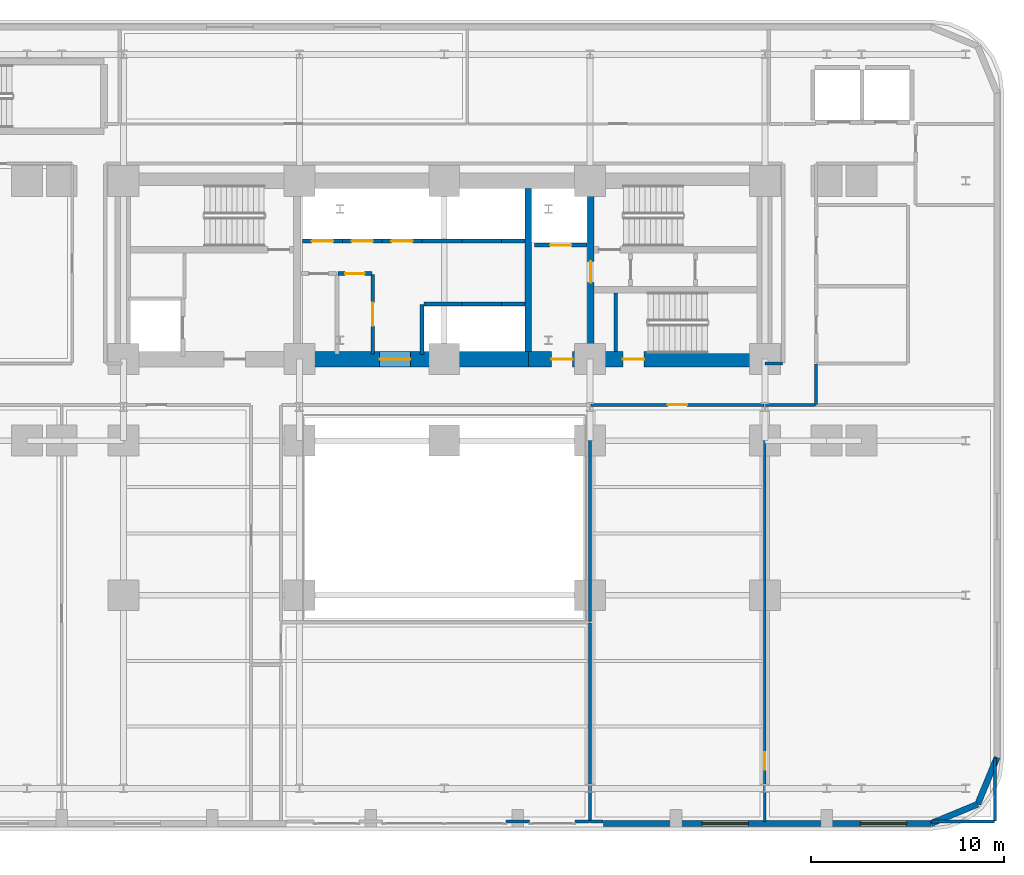
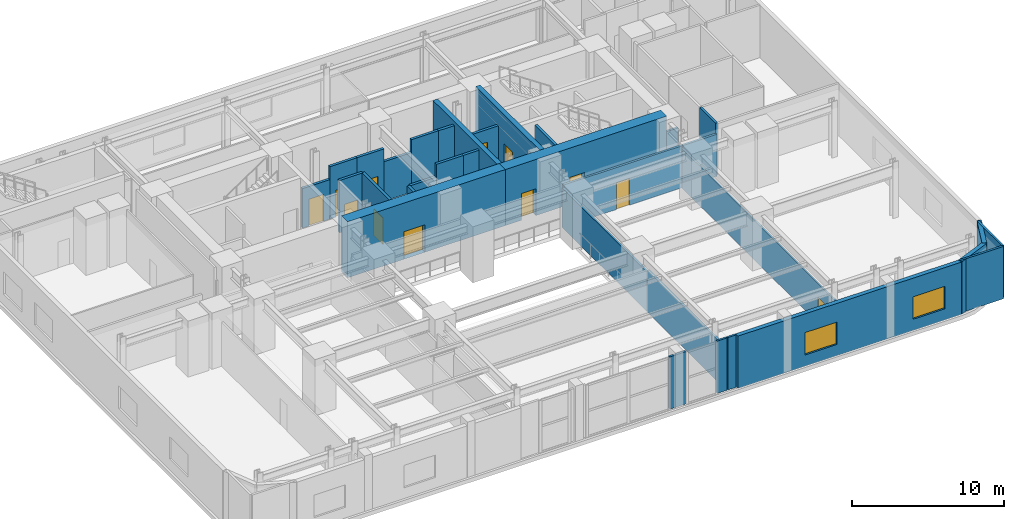
# One storey, part 7 of 14: 33 walls, 12 doors, 2 windows, 14 openings.
"""IFC4 building model written with IfcOpenShell, lengths in metres."""

from ifc_helpers import new_model, si_unit, direction, frame, frame_2d, origin, place, context, subcontext, project, spatial, rectangle, extrude, material, layer, layer_set, type_object, element, fill, save


model = new_model("IFC4")

# Units and contexts
model_context = context("Model", 3, precision=1e-05, world=origin(), true_north=direction((0.0, 1.0)))
body_context = subcontext(model_context, "Body", "Model", "MODEL_VIEW")
ifc_project = project(units=[si_unit("LENGTHUNIT", "METRE"), si_unit("AREAUNIT", "SQUARE_METRE"), si_unit("VOLUMEUNIT", "CUBIC_METRE"), si_unit("PLANEANGLEUNIT", "RADIAN"), si_unit("MASSUNIT", "GRAM", prefix="KILO")], contexts=[model_context])

# Site, building, storey
site_placement = place(None, origin())
site = spatial("IfcSite", under=ifc_project, at=site_placement, CompositionType="ELEMENT")
building_placement = place(site_placement, origin())
building = spatial("IfcBuilding", under=site, at=building_placement, Name="Zarnavel Station Tower", CompositionType="ELEMENT")
storey_placement = place(building_placement, frame((0.0, 0.0, 10.39990234375)))
storey = spatial("IfcBuildingStorey", under=building, at=storey_placement, Name="L03", CompositionType="ELEMENT", Elevation=10.39990234375)

# Wall
ifc_material_1 = material(Name="Concrete C50/60", Category="concrete")
ifc_layer_1 = layer(ifc_material_1, 0.35009765625)
ifc_layer_set_1 = layer_set([ifc_layer_1], Name="CW_350")
wall_type_1 = type_object("IfcWallType", Name="CW_350", PredefinedType="SHEAR", material=ifc_layer_set_1)
wall_1_placement = place(storey_placement, frame((33.14990234375, 28.219970703125, 0.0), z_axis=(0.0, 0.0, 1.0), x_axis=(0.0, 1.0, 0.0)))
element("IfcWall", 1, at=wall_1_placement, inside=storey, type_object=wall_type_1, Name="L03 Rear Core Shear Wall DIV-E", PredefinedType="SHEAR", context=body_context, shape_type="SweptSolid", body=[
    extrude(rectangle(XDim=8.429931640625, YDim=0.35009765625, at=frame_2d((4.21484375, 0.0))), origin(), (0.0, 0.0, 1.0), 4.5),
])

# Wall, opening, door
wall_2_placement = place(storey_placement, frame((36.3798828125, 28.219970703125, 0.0), z_axis=(0.0, 0.0, 1.0), x_axis=(0.0, 1.0, 0.0)))
wall_2 = element("IfcWall", 2, at=wall_2_placement, inside=storey, type_object=wall_type_1, Name="L03 Rear Core Shear Wall DIV-S2", PredefinedType="SHEAR", context=body_context, shape_type="SweptSolid", body=[
    extrude(rectangle(XDim=8.429931640625, YDim=0.35009765625, at=frame_2d((4.21484375, 0.0))), origin(), (0.0, 0.0, 1.0), 4.5),
])
opening_1_placement = place(wall_2_placement, frame((3.56005859375, 0.0, 0.0)))
opening_1 = element("IfcOpeningElement", 3, at=opening_1_placement, cuts=wall_2, Name="Opening FD01", PredefinedType="OPENING", context=body_context, shape_type="SweptSolid", body=[
    extrude(rectangle(XDim=1.10009765625, YDim=2.14990234375, at=frame_2d((0.550048828125, 1.074951171875))), frame((0.0, 0.18505859375, 0.0), z_axis=(0.0, -1.0, 0.0), x_axis=(1.0, 0.0, 0.0)), (0.0, 0.0, 1.0), 0.3701171875),
])
ifc_material_2 = material(Name="Painted Galvanised Steel and Hardwood Leaf", Category="steel")
door_type_1 = type_object("IfcDoorType", Name="ID_STAIR_1100", OperationType="NOTDEFINED", PredefinedType="DOOR", material=ifc_material_2)
door_1_placement = place(opening_1_placement, origin())
door_1 = element("IfcDoor", 4, at=door_1_placement, inside=storey, type_object=door_type_1, Name="L03 East Stair Vestibule Fire Door", OperationType="SINGLE_SWING_LEFT", OverallHeight=2.14990234375, OverallWidth=1.10009765625, PredefinedType="DOOR", context=body_context, shape_type="SweptSolid", body=[
    extrude(rectangle(XDim=1.10009765625, YDim=2.14990234375, at=frame_2d((0.550048828125, 1.074951171875))), frame((0.0, 0.02490234375, 0.0), z_axis=(0.0, -1.0, 0.0), x_axis=(1.0, 0.0, 0.0)), (0.0, 0.0, 1.0), 0.050048828125),
])
fill(opening_1, door_1)

ifc_material_3 = material(Name="Concrete C60/75", Category="concrete")
ifc_layer_2 = layer(ifc_material_3, 0.800048828125)
ifc_layer_set_2 = layer_set([ifc_layer_2], Name="CW_800")
wall_type_2 = type_object("IfcWallType", Name="CW_800", PredefinedType="SHEAR", material=ifc_layer_set_2)
wall_3_placement = place(storey_placement, frame((33.14990234375, 27.820068359375, 0.0), z_axis=(0.0, 0.0, 1.0), x_axis=(-1.0, 0.0, 0.0)))
wall_3 = element("IfcWall", 5, at=wall_3_placement, inside=storey, type_object=wall_type_2, Name="L03 Rear Core Shear Wall S-M", PredefinedType="SHEAR", context=body_context, shape_type="SweptSolid", body=[
    extrude(rectangle(XDim=11.969970703125, YDim=0.800048828125, at=frame_2d((5.98486328125, 0.0))), origin(), (0.0, 0.0, 1.0), 4.5),
])
opening_2_placement = place(wall_3_placement, frame((6.10009765625, 0.0, 0.0)))
opening_2 = element("IfcOpeningElement", 6, at=opening_2_placement, cuts=wall_3, Name="Opening ID03", PredefinedType="OPENING", context=body_context, shape_type="SweptSolid", body=[
    extrude(rectangle(XDim=1.60009765625, YDim=2.199951171875, at=frame_2d((0.800048828125, 1.10009765625))), frame((0.0, 0.409912109375, 0.0), z_axis=(0.0, -1.0, 0.0), x_axis=(1.0, 0.0, 0.0)), (0.0, 0.0, 1.0), 0.820068359375),
])
ifc_material_4 = material(Name="Painted Galvanised Steel and Hardwood Leaf", Category="steel")
door_type_2 = type_object("IfcDoorType", Name="ID_PUBLIC_1600", OperationType="DOUBLE_DOOR_SINGLE_SWING", PredefinedType="DOOR", material=ifc_material_4)
door_2_placement = place(opening_2_placement, origin())
door_2 = element("IfcDoor", 7, at=door_2_placement, inside=storey, type_object=door_type_2, Name="L03 Passenger Lift Lobby Double Door", OperationType="SINGLE_SWING_LEFT", OverallHeight=2.199951171875, OverallWidth=1.60009765625, PredefinedType="DOOR", context=body_context, shape_type="SweptSolid", body=[
    extrude(rectangle(XDim=1.60009765625, YDim=2.199951171875, at=frame_2d((0.800048828125, 1.10009765625))), frame((0.0, 0.02490234375, 0.0), z_axis=(0.0, -1.0, 0.0), x_axis=(1.0, 0.0, 0.0)), (0.0, 0.0, 1.0), 0.050048828125),
])
fill(opening_2, door_2)

# Wall, openings, doors
wall_4_placement = place(storey_placement, frame((45.3798828125, 27.820068359375, 0.0), z_axis=(0.0, 0.0, 1.0), x_axis=(-1.0, 0.0, 0.0)))
wall_4 = element("IfcWall", 8, at=wall_4_placement, inside=storey, type_object=wall_type_2, Name="L03 Rear Core Shear Wall S-E", PredefinedType="SHEAR", context=body_context, shape_type="SweptSolid", body=[
    extrude(rectangle(XDim=12.22998046875, YDim=0.800048828125, at=frame_2d((6.114990234375, 0.0))), origin(), (0.0, 0.0, 1.0), 4.5),
])
opening_3_placement = place(wall_4_placement, frame((9.929931640625, 0.0, 0.0)))
opening_3 = element("IfcOpeningElement", 9, at=opening_3_placement, cuts=wall_4, Name="Opening FD01", PredefinedType="OPENING", context=body_context, shape_type="SweptSolid", body=[
    extrude(rectangle(XDim=1.10009765625, YDim=2.14990234375, at=frame_2d((0.550048828125, 1.074951171875))), frame((0.0, 0.409912109375, 0.0), z_axis=(0.0, -1.0, 0.0), x_axis=(1.0, 0.0, 0.0)), (0.0, 0.0, 1.0), 0.820068359375),
])
opening_4_placement = place(wall_4_placement, frame((6.22998046875, 0.0, 0.0)))
opening_4 = element("IfcOpeningElement", 10, at=opening_4_placement, cuts=wall_4, Name="Opening FD01", PredefinedType="OPENING", context=body_context, shape_type="SweptSolid", body=[
    extrude(rectangle(XDim=1.10009765625, YDim=2.14990234375, at=frame_2d((0.550048828125, 1.074951171875))), frame((0.0, 0.409912109375, 0.0), z_axis=(0.0, -1.0, 0.0), x_axis=(1.0, 0.0, 0.0)), (0.0, 0.0, 1.0), 0.820068359375),
])
door_3_placement = place(opening_3_placement, origin())
door_3 = element("IfcDoor", 11, at=door_3_placement, inside=storey, type_object=door_type_1, Name="L03 East Firefighting Lobby Door", OperationType="SINGLE_SWING_LEFT", OverallHeight=2.14990234375, OverallWidth=1.10009765625, PredefinedType="DOOR", context=body_context, shape_type="SweptSolid", body=[
    extrude(rectangle(XDim=1.10009765625, YDim=2.14990234375, at=frame_2d((0.550048828125, 1.074951171875))), frame((0.0, 0.02490234375, 0.0), z_axis=(0.0, -1.0, 0.0), x_axis=(1.0, 0.0, 0.0)), (0.0, 0.0, 1.0), 0.050048828125),
])
fill(opening_3, door_3)
door_4_placement = place(opening_4_placement, origin())
door_4 = element("IfcDoor", 12, at=door_4_placement, inside=storey, type_object=door_type_1, Name="L03 Stair ST3 Corridor Fire Door", OperationType="SINGLE_SWING_RIGHT", OverallHeight=2.14990234375, OverallWidth=1.10009765625, PredefinedType="DOOR", context=body_context, shape_type="SweptSolid", body=[
    extrude(rectangle(XDim=1.10009765625, YDim=2.14990234375, at=frame_2d((0.550048828125, 1.074951171875))), frame((0.0, 0.02490234375, 0.0), z_axis=(0.0, -1.0, 0.0), x_axis=(1.0, 0.0, 0.0)), (0.0, 0.0, 1.0), 0.050048828125),
])
fill(opening_4, door_4)

# Walls
ifc_material_5 = material(Name="Precast concrete C45/55 (Podium Basalt Frame)", Category="masonry")
ifc_layer_3 = layer(ifc_material_5, 0.320068359375)
ifc_layer_set_3 = layer_set([ifc_layer_3], Name="EW_BASALT_320")
wall_type_3 = type_object("IfcWallType", Name="EW_BASALT_320", PredefinedType="SOLIDWALL", material=ifc_layer_set_3)
for number, where, z_axis, x_axis, name in (
    (13, (56.418212890625, 4.78173828125, 0.0), (0.0, 0.0, 1.0), (-0.923872453333, -0.382700522567, 0.0), "L03 Exterior Basalt Masonry Frame Wall 01"),
    (14, (57.419921875, 7.199951171875, 0.0), (0.0, 0.0, 1.0), (-0.382700522567, -0.923872453333, 0.0), "L03 Exterior Basalt Masonry Frame Wall 02"),
):
    element("IfcWall", number, at=place(storey_placement, frame(where, z_axis=z_axis, x_axis=x_axis)), inside=storey, type_object=wall_type_3, Name=name, PredefinedType="SOLIDWALL", context=body_context, shape_type="SweptSolid", body=[
        extrude(rectangle(XDim=2.617431640625, YDim=0.320068359375, at=frame_2d((1.30859375, 0.0))), origin(), (0.0, 0.0, 1.0), 4.2001953125),
    ])

# Wall, openings, windows
wall_5_placement = place(storey_placement, frame((54.0, 3.780029296875, 0.0), z_axis=(0.0, 0.0, 1.0), x_axis=(-1.0, 0.0, 0.0)))
wall_5 = element("IfcWall", 15, at=wall_5_placement, inside=storey, type_object=wall_type_3, Name="L03 South East Masonry Facade Wall", PredefinedType="SOLIDWALL", context=body_context, shape_type="SweptSolid", body=[
    extrude(rectangle(XDim=16.949951171875, YDim=0.320068359375, at=frame_2d((8.47509765625, 0.0))), origin(), (0.0, 0.0, 1.0), 4.2001953125),
])
opening_5_placement = place(wall_5_placement, frame((9.451904296875, 0.0, 0.89990234375)))
opening_5 = element("IfcOpeningElement", 16, at=opening_5_placement, cuts=wall_5, Name="Opening WN03", PredefinedType="OPENING", context=body_context, shape_type="SweptSolid", body=[
    extrude(rectangle(XDim=2.39990234375, YDim=1.800048828125, at=frame_2d((1.199951171875, 0.89990234375))), frame((0.0, 0.169921875, 0.0), z_axis=(0.0, -1.0, 0.0), x_axis=(1.0, 0.0, 0.0)), (0.0, 0.0, 1.0), 0.340087890625),
])
opening_6_placement = place(wall_5_placement, frame((1.261962890625, 0.0, 0.89990234375)))
opening_6 = element("IfcOpeningElement", 17, at=opening_6_placement, cuts=wall_5, Name="Opening WN03", PredefinedType="OPENING", context=body_context, shape_type="SweptSolid", body=[
    extrude(rectangle(XDim=2.39990234375, YDim=1.800048828125, at=frame_2d((1.199951171875, 0.89990234375))), frame((0.0, 0.169921875, 0.0), z_axis=(0.0, -1.0, 0.0), x_axis=(1.0, 0.0, 0.0)), (0.0, 0.0, 1.0), 0.340087890625),
])
ifc_material_6 = material(Name="Thermally Broken Black Aluminium and Low-E Dark Glass", Category="aluminium")
window_type = type_object("IfcWindowType", Name="WN_2400x1800", PartitioningType="TRIPLE_PANEL_VERTICAL", PredefinedType="WINDOW", material=ifc_material_6)
window_1_placement = place(opening_5_placement, origin())
window_1 = element("IfcWindow", 18, at=window_1_placement, inside=storey, type_object=window_type, Name="L03 Recessed Facade Window 01", OverallHeight=1.800048828125, OverallWidth=2.39990234375, PartitioningType="SINGLE_PANEL", PredefinedType="WINDOW", context=body_context, shape_type="SweptSolid", body=[
    extrude(rectangle(XDim=2.39990234375, YDim=1.800048828125, at=frame_2d((1.199951171875, 0.89990234375))), frame((0.0, 0.030029296875, 0.0), z_axis=(0.0, -1.0, 0.0), x_axis=(1.0, 0.0, 0.0)), (0.0, 0.0, 1.0), 0.06005859375),
])
fill(opening_5, window_1)
window_2_placement = place(opening_6_placement, origin())
window_2 = element("IfcWindow", 19, at=window_2_placement, inside=storey, type_object=window_type, Name="L03 Recessed Facade Window 02", OverallHeight=1.800048828125, OverallWidth=2.39990234375, PartitioningType="SINGLE_PANEL", PredefinedType="WINDOW", context=body_context, shape_type="SweptSolid", body=[
    extrude(rectangle(XDim=2.39990234375, YDim=1.800048828125, at=frame_2d((1.199951171875, 0.89990234375))), frame((0.0, 0.030029296875, 0.0), z_axis=(0.0, -1.0, 0.0), x_axis=(1.0, 0.0, 0.0)), (0.0, 0.0, 1.0), 0.06005859375),
])
fill(opening_6, window_2)

# Wall, opening, door
ifc_material_7 = material(Name="Gypsum Twin-Stud Acoustic Fire Partition", Category="concrete")
ifc_layer_4 = layer(ifc_material_7, 0.159912109375)
ifc_layer_set_4 = layer_set([ifc_layer_4], Name="PT_DEMISE_160")
wall_type_4 = type_object("IfcWallType", Name="PT_DEMISE_160", PredefinedType="PARTITIONING", material=ifc_layer_set_4)
wall_6_placement = place(storey_placement, frame((36.389892578125, 25.449951171875, 0.0), z_axis=(0.0, 0.0, 1.0), x_axis=(1.0, 0.0, 0.0)))
wall_6 = element("IfcWall", 20, at=wall_6_placement, inside=storey, type_object=wall_type_4, Name="L03 Partition PCOR-S-BOUT", PredefinedType="PARTITIONING", context=body_context, shape_type="SweptSolid", body=[
    extrude(rectangle(XDim=8.97021484375, YDim=0.159912109375, at=frame_2d((4.485107421875, 0.0))), origin(), (0.0, 0.0, 1.0), 3.3662109375),
])
opening_7_placement = place(wall_6_placement, frame((3.985107421875, 0.0, 0.0)))
opening_7 = element("IfcOpeningElement", 21, at=opening_7_placement, cuts=wall_6, Name="Opening FD02", PredefinedType="OPENING", context=body_context, shape_type="SweptSolid", body=[
    extrude(rectangle(XDim=1.0, YDim=2.14990234375, at=frame_2d((0.5, 1.074951171875))), frame((0.0, 0.08984375, 0.0), z_axis=(0.0, -1.0, 0.0), x_axis=(1.0, 0.0, 0.0)), (0.0, 0.0, 1.0), 0.179931640625),
])
ifc_material_8 = material(Name="Painted Galvanised Steel and Hardwood Leaf", Category="steel")
door_type_3 = type_object("IfcDoorType", Name="ID_ENTRY_1000", OperationType="NOTDEFINED", PredefinedType="DOOR", material=ifc_material_8)
door_5_placement = place(opening_7_placement, origin())
door_5 = element("IfcDoor", 22, at=door_5_placement, inside=storey, type_object=door_type_3, Name="L03 Door PCOR-S-BOUT", OperationType="SINGLE_SWING_LEFT", OverallHeight=2.14990234375, OverallWidth=1.0, PredefinedType="DOOR", context=body_context, shape_type="SweptSolid", body=[
    extrude(rectangle(XDim=1.0, YDim=2.14990234375, at=frame_2d((0.5, 1.074951171875))), frame((0.0, 0.02490234375, 0.0), z_axis=(0.0, -1.0, 0.0), x_axis=(1.0, 0.0, 0.0)), (0.0, 0.0, 1.0), 0.050048828125),
])
fill(opening_7, door_5)

# Walls
wall_7_placement = place(storey_placement, frame((45.43994140625, 25.449951171875, 0.0), z_axis=(0.0, 0.0, 1.0), x_axis=(1.0, 0.0, 0.0)))
element("IfcWall", 23, at=wall_7_placement, inside=storey, type_object=wall_type_4, Name="L03 Partition PCOR-S-BOUE", PredefinedType="PARTITIONING", context=body_context, shape_type="SweptSolid", body=[
    extrude(rectangle(XDim=2.570068359375, YDim=0.159912109375, at=frame_2d((1.28515625, 0.0))), origin(), (0.0, 0.0, 1.0), 3.3662109375),
])
wall_8_placement = place(storey_placement, frame((36.35009765625, 3.8798828125, 0.0), z_axis=(0.0, 0.0, 1.0), x_axis=(0.0, 1.0, 0.0)))
element("IfcWall", 24, at=wall_8_placement, inside=storey, type_object=wall_type_4, Name="L03 Partition SBTH-BOUT", PredefinedType="PARTITIONING", context=body_context, shape_type="SweptSolid", body=[
    extrude(rectangle(XDim=10.280029296875, YDim=0.159912109375, at=frame_2d((5.14013671875, 0.0))), origin(), (0.0, 0.0, 1.0), 3.3662109375),
])
wall_9_placement = place(storey_placement, frame((45.409912109375, 27.60009765625, 0.0), z_axis=(0.0, 0.0, 1.0), x_axis=(1.0, 0.0, 0.0)))
element("IfcWall", 25, at=wall_9_placement, inside=storey, type_object=wall_type_4, Name="L03 Enclosure Wall PCOR-S", PredefinedType="PARTITIONING", context=body_context, shape_type="SweptSolid", body=[
    extrude(rectangle(XDim=0.91015625, YDim=0.159912109375, at=frame_2d((0.455078125, 0.0))), origin(), (0.0, 0.0, 1.0), 3.172119140625),
])
wall_10_placement = place(storey_placement, frame((48.050048828125, 25.47998046875, 0.0), z_axis=(0.0, 0.0, 1.0), x_axis=(0.0, 1.0, 0.0)))
element("IfcWall", 26, at=wall_10_placement, inside=storey, type_object=wall_type_4, Name="L03 Enclosure Wall PCOR-S", PredefinedType="PARTITIONING", context=body_context, shape_type="SweptSolid", body=[
    extrude(rectangle(XDim=2.090087890625, YDim=0.159912109375, at=frame_2d((1.044921875, 0.0))), origin(), (0.0, 0.0, 1.0), 4.2001953125),
])
wall_11_placement = place(storey_placement, frame((31.986083984375, 3.8798828125, 0.0), z_axis=(0.0, 0.0, 1.0), x_axis=(1.0, 0.0, 0.0)))
element("IfcWall", 27, at=wall_11_placement, inside=storey, type_object=wall_type_4, Name="L03 Enclosure Wall SBTH", PredefinedType="PARTITIONING", context=body_context, shape_type="SweptSolid", body=[
    extrude(rectangle(XDim=1.22802734375, YDim=0.159912109375, at=frame_2d((0.614013671875, 0.0))), origin(), (0.0, 0.0, 1.0), 4.2001953125),
])
wall_12_placement = place(storey_placement, frame((35.580078125, 3.8798828125, 0.0), z_axis=(0.0, 0.0, 1.0), x_axis=(1.0, 0.0, 0.0)))
element("IfcWall", 28, at=wall_12_placement, inside=storey, type_object=wall_type_4, Name="L03 Enclosure Wall SBTH", PredefinedType="PARTITIONING", context=body_context, shape_type="SweptSolid", body=[
    extrude(rectangle(XDim=0.739990234375, YDim=0.159912109375, at=frame_2d((0.3701171875, 0.0))), origin(), (0.0, 0.0, 1.0), 4.2001953125),
])
wall_13_placement = place(storey_placement, frame((36.3798828125, 3.8798828125, 0.0), z_axis=(0.0, 0.0, 1.0), x_axis=(1.0, 0.0, 0.0)))
element("IfcWall", 29, at=wall_13_placement, inside=storey, type_object=wall_type_4, Name="L03 Enclosure Wall BOUT", PredefinedType="PARTITIONING", context=body_context, shape_type="SweptSolid", body=[
    extrude(rectangle(XDim=0.64013671875, YDim=0.159912109375, at=frame_2d((0.320068359375, 0.0))), origin(), (0.0, 0.0, 1.0), 4.2001953125),
])
wall_14_placement = place(storey_placement, frame((36.35009765625, 14.22998046875, 0.0), z_axis=(0.0, 0.0, 1.0), x_axis=(0.0, 1.0, 0.0)))
element("IfcWall", 30, at=wall_14_placement, inside=storey, type_object=wall_type_4, Name="L03 Enclosure Wall BOUT", PredefinedType="PARTITIONING", context=body_context, shape_type="SweptSolid", body=[
    extrude(rectangle(XDim=11.18994140625, YDim=0.159912109375, at=frame_2d((5.594970703125, 0.0))), origin(), (0.0, 0.0, 1.0), 3.172119140625),
])
for number, where, z_axis, x_axis, name in (
    (31, (54.030029296875, 3.8798828125, 0.0), (0.0, 0.0, 1.0), (1.0, 0.0, 0.0), "L03 Enclosure Wall BOUE"),
    (32, (57.320068359375, 3.909912109375, 0.0), (0.0, 0.0, 1.0), (0.0, 1.0, 0.0), "L03 Enclosure Wall BOUE"),
):
    element("IfcWall", number, at=place(storey_placement, frame(where, z_axis=z_axis, x_axis=x_axis)), inside=storey, type_object=wall_type_4, Name=name, PredefinedType="PARTITIONING", context=body_context, shape_type="SweptSolid", body=[
        extrude(rectangle(XDim=3.260009765625, YDim=0.159912109375, at=frame_2d((1.6298828125, 0.0))), origin(), (0.0, 0.0, 1.0), 4.2001953125),
    ])

# Wall, opening, door
ifc_material_9 = material(Name="Gypsum Metal-Stud Interior Partition", Category="concrete")
ifc_layer_5 = layer(ifc_material_9, 0.1201171875)
ifc_layer_set_5 = layer_set([ifc_layer_5], Name="PT_ROOM_120")
wall_type_5 = type_object("IfcWallType", Name="PT_ROOM_120", PredefinedType="PARTITIONING", material=ifc_layer_set_5)
wall_15_placement = place(storey_placement, frame((45.39990234375, 3.8798828125, 0.0), z_axis=(0.0, 0.0, 1.0), x_axis=(0.0, 1.0, 0.0)))
wall_15 = element("IfcWall", 33, at=wall_15_placement, inside=storey, type_object=wall_type_5, Name="L03 Partition BOUT-BOUE", PredefinedType="PARTITIONING", context=body_context, shape_type="SweptSolid", body=[
    extrude(rectangle(XDim=21.530029296875, YDim=0.1201171875, at=frame_2d((10.76513671875, 0.0))), origin(), (0.0, 0.0, 1.0), 3.172119140625),
])
opening_8_placement = place(wall_15_placement, frame((2.683837890625, 0.0, 0.0)))
opening_8 = element("IfcOpeningElement", 34, at=opening_8_placement, cuts=wall_15, Name="Opening ID01", PredefinedType="OPENING", context=body_context, shape_type="SweptSolid", body=[
    extrude(rectangle(XDim=0.89990234375, YDim=2.10009765625, at=frame_2d((0.449951171875, 1.050048828125))), frame((0.0, 0.070068359375, 0.0), z_axis=(0.0, -1.0, 0.0), x_axis=(1.0, 0.0, 0.0)), (0.0, 0.0, 1.0), 0.14013671875),
])
ifc_material_10 = material(Name="Painted Galvanised Steel and Hardwood Leaf", Category="steel")
door_type_4 = type_object("IfcDoorType", Name="ID_ROOM_900", OperationType="NOTDEFINED", PredefinedType="DOOR", material=ifc_material_10)
door_6_placement = place(opening_8_placement, origin())
door_6 = element("IfcDoor", 35, at=door_6_placement, inside=storey, type_object=door_type_4, Name="L03 Door BOUT-BOUE", OperationType="SINGLE_SWING_RIGHT", OverallHeight=2.10009765625, OverallWidth=0.89990234375, PredefinedType="DOOR", context=body_context, shape_type="SweptSolid", body=[
    extrude(rectangle(XDim=0.89990234375, YDim=2.10009765625, at=frame_2d((0.449951171875, 1.050048828125))), frame((0.0, 0.02490234375, 0.0), z_axis=(0.0, -1.0, 0.0), x_axis=(1.0, 0.0, 0.0)), (0.0, 0.0, 1.0), 0.050048828125),
])
fill(opening_8, door_6)

ifc_material_11 = material(Name="Precast concrete C45/55 (Fire Shaft Blockwork)", Category="masonry")
ifc_layer_6 = layer(ifc_material_11, 0.199951171875)
ifc_layer_set_6 = layer_set([ifc_layer_6], Name="PT_SHAFT_200")
wall_type_6 = type_object("IfcWallType", Name="PT_SHAFT_200", PredefinedType="PARTITIONING", material=ifc_layer_set_6)
wall_16_placement = place(storey_placement, frame((33.47509765625, 33.72998046875, 0.0), z_axis=(0.0, 0.0, 1.0), x_axis=(1.0, 0.0, 0.0)))
wall_16 = element("IfcWall", 36, at=wall_16_placement, inside=storey, type_object=wall_type_6, Name="L03 Lift FFL-02 Shaft Front Wall", PredefinedType="PARTITIONING", context=body_context, shape_type="SweptSolid", body=[
    extrude(rectangle(XDim=2.724853515625, YDim=0.199951171875, at=frame_2d((1.3623046875, 0.0))), origin(), (0.0, 0.0, 1.0), 3.172119140625),
])
opening_9_placement = place(wall_16_placement, frame((0.8125, 0.0, 0.0)))
opening_9 = element("IfcOpeningElement", 37, at=opening_9_placement, cuts=wall_16, Name="Opening LD01", PredefinedType="OPENING", context=body_context, shape_type="SweptSolid", body=[
    extrude(rectangle(XDim=1.10009765625, YDim=2.14990234375, at=frame_2d((0.550048828125, 1.074951171875))), frame((0.0, 0.10986328125, 0.0), z_axis=(0.0, -1.0, 0.0), x_axis=(1.0, 0.0, 0.0)), (0.0, 0.0, 1.0), 0.219970703125),
])
ifc_material_12 = material(Name="Painted Galvanised Steel and Hardwood Leaf", Category="steel")
door_type_5 = type_object("IfcDoorType", Name="LD_FF_1100", OperationType="DOUBLE_DOOR_SLIDING", PredefinedType="DOOR", material=ifc_material_12)
door_7_placement = place(opening_9_placement, origin())
door_7 = element("IfcDoor", 38, at=door_7_placement, inside=storey, type_object=door_type_5, Name="L03 Lift FFL-02 Sliding Landing Door", OperationType="DOUBLE_DOOR_SLIDING", OverallHeight=2.14990234375, OverallWidth=1.10009765625, PredefinedType="DOOR", context=body_context, shape_type="SweptSolid", body=[
    extrude(rectangle(XDim=1.10009765625, YDim=2.14990234375, at=frame_2d((0.550048828125, 1.074951171875))), frame((0.0, 0.02490234375, 0.0), z_axis=(0.0, -1.0, 0.0), x_axis=(1.0, 0.0, 0.0)), (0.0, 0.0, 1.0), 0.050048828125),
])
fill(opening_9, door_7)

# Walls
wall_17_placement = place(storey_placement, frame((27.75, 30.669921875, 0.0), z_axis=(0.0, 0.0, 1.0), x_axis=(1.0, 0.0, 0.0)))
element("IfcWall", 39, at=wall_17_placement, inside=storey, type_object=wall_type_6, Name="L03 Lift PL-H1 Shaft Front Wall", PredefinedType="PARTITIONING", context=body_context, shape_type="SweptSolid", body=[
    extrude(rectangle(XDim=1.97509765625, YDim=0.199951171875, at=frame_2d((0.987548828125, 0.0))), origin(), (0.0, 0.0, 1.0), 3.172119140625),
])
wall_18_placement = place(storey_placement, frame((27.64990234375, 28.070068359375, 0.0), z_axis=(0.0, 0.0, 1.0), x_axis=(0.0, 1.0, 0.0)))
element("IfcWall", 40, at=wall_18_placement, inside=storey, type_object=wall_type_6, Name="L03 High-Rise Lift Bank West Shaft Wall", PredefinedType="PARTITIONING", context=body_context, shape_type="SweptSolid", body=[
    extrude(rectangle(XDim=2.579833984375, YDim=0.199951171875, at=frame_2d((1.2900390625, 0.0))), origin(), (0.0, 0.0, 1.0), 3.172119140625),
])
wall_19_placement = place(storey_placement, frame((29.72509765625, 30.669921875, 0.0), z_axis=(0.0, 0.0, 1.0), x_axis=(1.0, 0.0, 0.0)))
element("IfcWall", 41, at=wall_19_placement, inside=storey, type_object=wall_type_6, Name="L03 Lift PL-H2 Shaft Front Wall", PredefinedType="PARTITIONING", context=body_context, shape_type="SweptSolid", body=[
    extrude(rectangle(XDim=2.0498046875, YDim=0.199951171875, at=frame_2d((1.02490234375, 0.0))), origin(), (0.0, 0.0, 1.0), 4.2001953125),
])
wall_20_placement = place(storey_placement, frame((31.77490234375, 30.669921875, 0.0), z_axis=(0.0, 0.0, 1.0), x_axis=(1.0, 0.0, 0.0)))
element("IfcWall", 42, at=wall_20_placement, inside=storey, type_object=wall_type_6, Name="L03 Lift PL-H3 Shaft Front Wall", PredefinedType="PARTITIONING", context=body_context, shape_type="SweptSolid", body=[
    extrude(rectangle(XDim=1.2001953125, YDim=0.199951171875, at=frame_2d((0.60009765625, 0.0))), origin(), (0.0, 0.0, 1.0), 4.2001953125),
])

# Wall, opening, door
wall_21_placement = place(storey_placement, frame((21.4599609375, 33.929931640625, 0.0), z_axis=(0.0, 0.0, 1.0), x_axis=(1.0, 0.0, 0.0)))
wall_21 = element("IfcWall", 43, at=wall_21_placement, inside=storey, type_object=wall_type_6, Name="L03 Lift PL-L1 Shaft Front Wall", PredefinedType="PARTITIONING", context=body_context, shape_type="SweptSolid", body=[
    extrude(rectangle(XDim=2.06494140625, YDim=0.199951171875, at=frame_2d((1.032470703125, 0.0))), origin(), (0.0, 0.0, 1.0), 3.172119140625),
])
opening_10_placement = place(wall_21_placement, frame((0.482421875, 0.0, 0.0)))
opening_10 = element("IfcOpeningElement", 44, at=opening_10_placement, cuts=wall_21, Name="Opening LD02", PredefinedType="OPENING", context=body_context, shape_type="SweptSolid", body=[
    extrude(rectangle(XDim=1.10009765625, YDim=2.14990234375, at=frame_2d((0.550048828125, 1.074951171875))), frame((0.0, 0.10986328125, 0.0), z_axis=(0.0, -1.0, 0.0), x_axis=(1.0, 0.0, 0.0)), (0.0, 0.0, 1.0), 0.219970703125),
])
ifc_material_13 = material(Name="Painted Galvanised Steel and Hardwood Leaf", Category="steel")
door_type_6 = type_object("IfcDoorType", Name="LD_PAX_1100", OperationType="DOUBLE_DOOR_SLIDING", PredefinedType="DOOR", material=ifc_material_13)
door_8_placement = place(opening_10_placement, origin())
door_8 = element("IfcDoor", 45, at=door_8_placement, inside=storey, type_object=door_type_6, Name="L03 Lift PL-L1 Sliding Landing Door", OperationType="DOUBLE_DOOR_SLIDING", OverallHeight=2.14990234375, OverallWidth=1.10009765625, PredefinedType="DOOR", context=body_context, shape_type="SweptSolid", body=[
    extrude(rectangle(XDim=1.10009765625, YDim=2.14990234375, at=frame_2d((0.550048828125, 1.074951171875))), frame((0.0, 0.02490234375, 0.0), z_axis=(0.0, -1.0, 0.0), x_axis=(1.0, 0.0, 0.0)), (0.0, 0.0, 1.0), 0.050048828125),
])
fill(opening_10, door_8)

wall_22_placement = place(storey_placement, frame((23.52490234375, 33.929931640625, 0.0), z_axis=(0.0, 0.0, 1.0), x_axis=(1.0, 0.0, 0.0)))
wall_22 = element("IfcWall", 46, at=wall_22_placement, inside=storey, type_object=wall_type_6, Name="L03 Lift PL-L2 Shaft Front Wall", PredefinedType="PARTITIONING", context=body_context, shape_type="SweptSolid", body=[
    extrude(rectangle(XDim=2.050048828125, YDim=0.199951171875, at=frame_2d((1.02490234375, 0.0))), origin(), (0.0, 0.0, 1.0), 4.2001953125),
])
opening_11_placement = place(wall_22_placement, frame((0.47509765625, 0.0, 0.0)))
opening_11 = element("IfcOpeningElement", 47, at=opening_11_placement, cuts=wall_22, Name="Opening LD02", PredefinedType="OPENING", context=body_context, shape_type="SweptSolid", body=[
    extrude(rectangle(XDim=1.10009765625, YDim=2.14990234375, at=frame_2d((0.550048828125, 1.074951171875))), frame((0.0, 0.10986328125, 0.0), z_axis=(0.0, -1.0, 0.0), x_axis=(1.0, 0.0, 0.0)), (0.0, 0.0, 1.0), 0.219970703125),
])
door_9_placement = place(opening_11_placement, origin())
door_9 = element("IfcDoor", 48, at=door_9_placement, inside=storey, type_object=door_type_6, Name="L03 Lift PL-L2 Sliding Landing Door", OperationType="DOUBLE_DOOR_SLIDING", OverallHeight=2.14990234375, OverallWidth=1.10009765625, PredefinedType="DOOR", context=body_context, shape_type="SweptSolid", body=[
    extrude(rectangle(XDim=1.10009765625, YDim=2.14990234375, at=frame_2d((0.550048828125, 1.074951171875))), frame((0.0, 0.02490234375, 0.0), z_axis=(0.0, -1.0, 0.0), x_axis=(1.0, 0.0, 0.0)), (0.0, 0.0, 1.0), 0.050048828125),
])
fill(opening_11, door_9)

wall_23_placement = place(storey_placement, frame((25.574951171875, 33.929931640625, 0.0), z_axis=(0.0, 0.0, 1.0), x_axis=(1.0, 0.0, 0.0)))
wall_23 = element("IfcWall", 49, at=wall_23_placement, inside=storey, type_object=wall_type_6, Name="L03 Lift PL-L3 Shaft Front Wall", PredefinedType="PARTITIONING", context=body_context, shape_type="SweptSolid", body=[
    extrude(rectangle(XDim=2.074951171875, YDim=0.199951171875, at=frame_2d((1.03759765625, 0.0))), origin(), (0.0, 0.0, 1.0), 4.2001953125),
])
opening_12_placement = place(wall_23_placement, frame((0.487548828125, 0.0, 0.0)))
opening_12 = element("IfcOpeningElement", 50, at=opening_12_placement, cuts=wall_23, Name="Opening LD02", PredefinedType="OPENING", context=body_context, shape_type="SweptSolid", body=[
    extrude(rectangle(XDim=1.10009765625, YDim=2.14990234375, at=frame_2d((0.550048828125, 1.074951171875))), frame((0.0, 0.10986328125, 0.0), z_axis=(0.0, -1.0, 0.0), x_axis=(1.0, 0.0, 0.0)), (0.0, 0.0, 1.0), 0.219970703125),
])
door_10_placement = place(opening_12_placement, origin())
door_10 = element("IfcDoor", 51, at=door_10_placement, inside=storey, type_object=door_type_6, Name="L03 Lift PL-L3 Sliding Landing Door", OperationType="DOUBLE_DOOR_SLIDING", OverallHeight=2.14990234375, OverallWidth=1.10009765625, PredefinedType="DOOR", context=body_context, shape_type="SweptSolid", body=[
    extrude(rectangle(XDim=1.10009765625, YDim=2.14990234375, at=frame_2d((0.550048828125, 1.074951171875))), frame((0.0, 0.02490234375, 0.0), z_axis=(0.0, -1.0, 0.0), x_axis=(1.0, 0.0, 0.0)), (0.0, 0.0, 1.0), 0.050048828125),
])
fill(opening_12, door_10)

# Walls
wall_24_placement = place(storey_placement, frame((27.64990234375, 33.929931640625, 0.0), z_axis=(0.0, 0.0, 1.0), x_axis=(1.0, 0.0, 0.0)))
element("IfcWall", 52, at=wall_24_placement, inside=storey, type_object=wall_type_6, Name="L03 Lift PL-M1 Shaft Front Wall", PredefinedType="PARTITIONING", context=body_context, shape_type="SweptSolid", body=[
    extrude(rectangle(XDim=2.0751953125, YDim=0.199951171875, at=frame_2d((1.03759765625, 0.0))), origin(), (0.0, 0.0, 1.0), 3.172119140625),
])
wall_25_placement = place(storey_placement, frame((29.72509765625, 33.929931640625, 0.0), z_axis=(0.0, 0.0, 1.0), x_axis=(1.0, 0.0, 0.0)))
element("IfcWall", 53, at=wall_25_placement, inside=storey, type_object=wall_type_6, Name="L03 Lift PL-M2 Shaft Front Wall", PredefinedType="PARTITIONING", context=body_context, shape_type="SweptSolid", body=[
    extrude(rectangle(XDim=2.0498046875, YDim=0.199951171875, at=frame_2d((1.02490234375, 0.0))), origin(), (0.0, 0.0, 1.0), 4.2001953125),
])
wall_26_placement = place(storey_placement, frame((31.77490234375, 33.929931640625, 0.0), z_axis=(0.0, 0.0, 1.0), x_axis=(1.0, 0.0, 0.0)))
element("IfcWall", 54, at=wall_26_placement, inside=storey, type_object=wall_type_6, Name="L03 Lift PL-M3 Shaft Front Wall", PredefinedType="PARTITIONING", context=body_context, shape_type="SweptSolid", body=[
    extrude(rectangle(XDim=1.2001953125, YDim=0.199951171875, at=frame_2d((0.60009765625, 0.0))), origin(), (0.0, 0.0, 1.0), 4.2001953125),
])
wall_27_placement = place(storey_placement, frame((37.679931640625, 28.219970703125, 0.0), z_axis=(0.0, 0.0, 1.0), x_axis=(0.0, 1.0, 0.0)))
element("IfcWall", 55, at=wall_27_placement, inside=storey, type_object=wall_type_6, Name="L03 Stair ST3 West Shaft Wall", PredefinedType="PARTITIONING", context=body_context, shape_type="SweptSolid", body=[
    extrude(rectangle(XDim=3.030029296875, YDim=0.199951171875, at=frame_2d((1.51513671875, 0.0))), origin(), (0.0, 0.0, 1.0), 4.2001953125),
])

# Wall, opening, door
wall_28_placement = place(storey_placement, frame((23.2900390625, 32.25, 0.0), z_axis=(0.0, 0.0, 1.0), x_axis=(1.0, 0.0, 0.0)))
wall_28 = element("IfcWall", 56, at=wall_28_placement, inside=storey, type_object=wall_type_6, Name="L03 Partition LLOB-CS2", PredefinedType="PARTITIONING", context=body_context, shape_type="SweptSolid", body=[
    extrude(rectangle(XDim=1.77001953125, YDim=0.199951171875, at=frame_2d((0.885009765625, 0.0))), origin(), (0.0, 0.0, 1.0), 4.2001953125),
])
opening_13_placement = place(wall_28_placement, frame((0.385009765625, 0.0, 0.0)))
opening_13 = element("IfcOpeningElement", 57, at=opening_13_placement, cuts=wall_28, Name="Opening FD02", PredefinedType="OPENING", context=body_context, shape_type="SweptSolid", body=[
    extrude(rectangle(XDim=1.0, YDim=2.14990234375, at=frame_2d((0.5, 1.074951171875))), frame((0.0, 0.10986328125, 0.0), z_axis=(0.0, -1.0, 0.0), x_axis=(1.0, 0.0, 0.0)), (0.0, 0.0, 1.0), 0.219970703125),
])
door_11_placement = place(opening_13_placement, origin())
door_11 = element("IfcDoor", 58, at=door_11_placement, inside=storey, type_object=door_type_3, Name="L03 Door LLOB-CS2", OperationType="SINGLE_SWING_LEFT", OverallHeight=2.14990234375, OverallWidth=1.0, PredefinedType="DOOR", context=body_context, shape_type="SweptSolid", body=[
    extrude(rectangle(XDim=1.0, YDim=2.14990234375, at=frame_2d((0.5, 1.074951171875))), frame((0.0, 0.02490234375, 0.0), z_axis=(0.0, -1.0, 0.0), x_axis=(1.0, 0.0, 0.0)), (0.0, 0.0, 1.0), 0.050048828125),
])
fill(opening_13, door_11)

wall_29_placement = place(storey_placement, frame((25.10009765625, 28.090087890625, 0.0), z_axis=(0.0, 0.0, 1.0), x_axis=(0.0, 1.0, 0.0)))
wall_29 = element("IfcWall", 59, at=wall_29_placement, inside=storey, type_object=wall_type_6, Name="L03 Partition LLOBS-CS2", PredefinedType="PARTITIONING", context=body_context, shape_type="SweptSolid", body=[
    extrude(rectangle(XDim=4.119873046875, YDim=0.199951171875, at=frame_2d((2.06005859375, 0.0))), origin(), (0.0, 0.0, 1.0), 4.2001953125),
])
opening_14_placement = place(wall_29_placement, frame((1.4599609375, 0.0, 0.0)))
opening_14 = element("IfcOpeningElement", 60, at=opening_14_placement, cuts=wall_29, Name="Opening FD03", PredefinedType="OPENING", context=body_context, shape_type="SweptSolid", body=[
    extrude(rectangle(XDim=1.199951171875, YDim=2.14990234375, at=frame_2d((0.60009765625, 1.074951171875))), frame((0.0, 0.10986328125, 0.0), z_axis=(0.0, -1.0, 0.0), x_axis=(1.0, 0.0, 0.0)), (0.0, 0.0, 1.0), 0.219970703125),
])
ifc_material_14 = material(Name="Painted Galvanised Steel and Hardwood Leaf", Category="steel")
door_type_7 = type_object("IfcDoorType", Name="ID_PLANT_1200", OperationType="NOTDEFINED", PredefinedType="DOOR", material=ifc_material_14)
door_12_placement = place(opening_14_placement, origin())
door_12 = element("IfcDoor", 61, at=door_12_placement, inside=storey, type_object=door_type_7, Name="L03 Door LLOBS-CS2", OperationType="SINGLE_SWING_RIGHT", OverallHeight=2.14990234375, OverallWidth=1.199951171875, PredefinedType="DOOR", context=body_context, shape_type="SweptSolid", body=[
    extrude(rectangle(XDim=1.199951171875, YDim=2.14990234375, at=frame_2d((0.60009765625, 1.074951171875))), frame((0.0, 0.02490234375, 0.0), z_axis=(0.0, -1.0, 0.0), x_axis=(1.0, 0.0, 0.0)), (0.0, 0.0, 1.0), 0.050048828125),
])
fill(opening_14, door_12)

save(model, "model.ifc")
